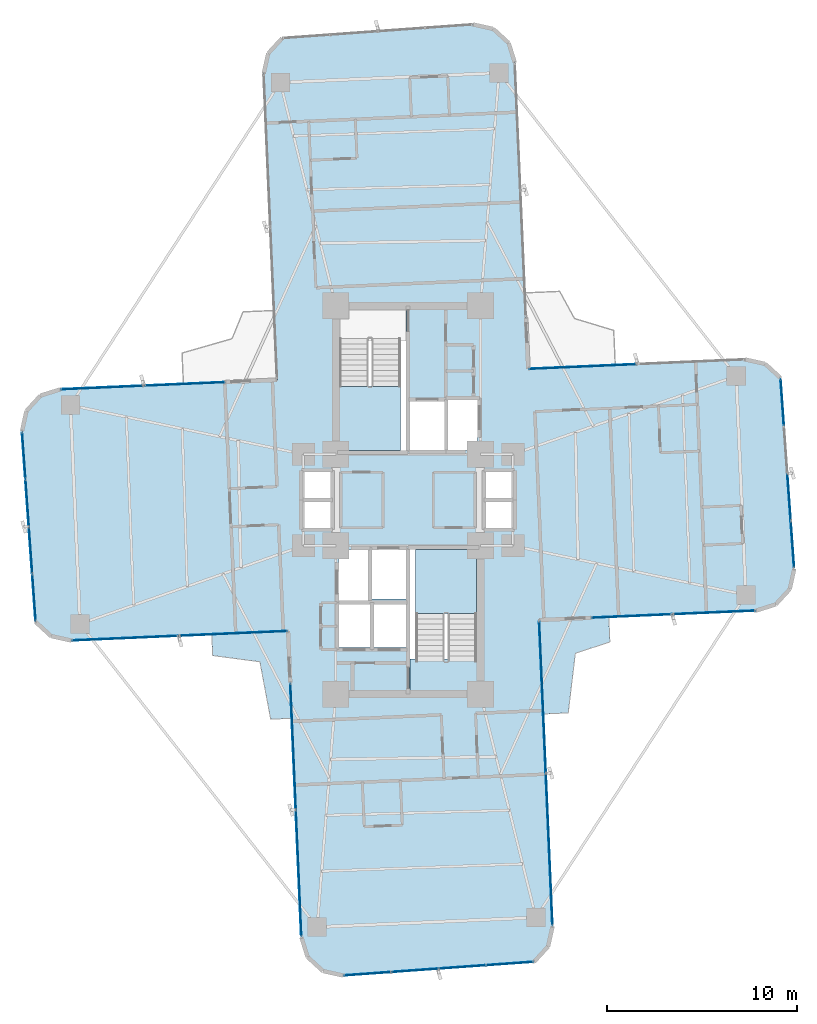
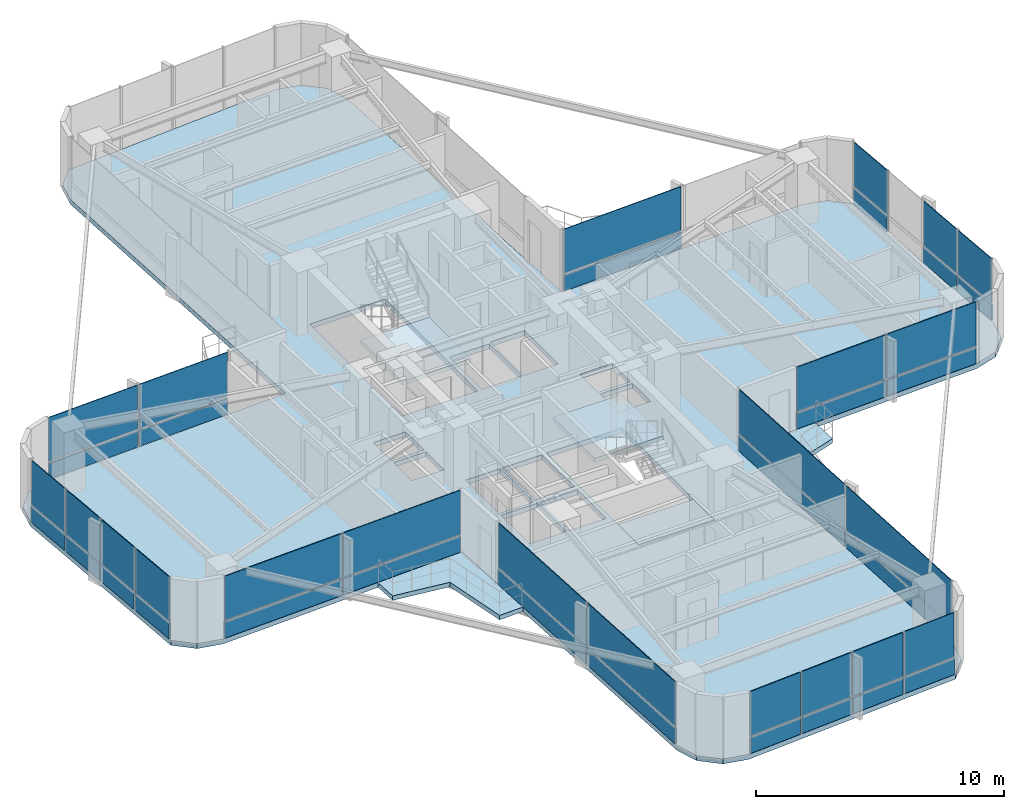
# One storey, part 21 of 26: 44 plates, 6 slabs, 11 elements without a shape of their own.
"""IFC4 building model written with IfcOpenShell, lengths in metres."""

from ifc_helpers import new_model, si_unit, direction, frame, origin, origin_2d, place, context, subcontext, project, spatial, polyline, rectangle, outline, extrude, source, transform, mapped, material, layer, layer_set, type_object, element, aggregate, save


model = new_model("IFC4")

# Units and contexts
model_context = context("Model", 3, precision=1e-05, world=origin(), true_north=direction((0.0, 1.0)))
body_context = subcontext(model_context, "Body", "Model", "MODEL_VIEW")
ifc_project = project(units=[si_unit("LENGTHUNIT", "METRE"), si_unit("AREAUNIT", "SQUARE_METRE"), si_unit("VOLUMEUNIT", "CUBIC_METRE"), si_unit("PLANEANGLEUNIT", "RADIAN"), si_unit("MASSUNIT", "GRAM", prefix="KILO")], contexts=[model_context])

# Site, building, storey
site_placement = place(None, origin())
site = spatial("IfcSite", under=ifc_project, at=site_placement, CompositionType="ELEMENT")
building_placement = place(site_placement, origin())
building = spatial("IfcBuilding", under=site, at=building_placement, Name="Sahyath Konkavel Grand Hotel", CompositionType="ELEMENT")
storey_placement = place(building_placement, frame((0.0, 0.0, 118.14990234375)))
storey = spatial("IfcBuildingStorey", under=building, at=storey_placement, Name="L32", CompositionType="ELEMENT", Elevation=118.14990234375)

# Slabs
ifc_material_1 = material(Name="Concrete C40/50", Category="concrete")
ifc_layer_1 = layer(ifc_material_1, 0.239990234375)
ifc_layer_set_1 = layer_set([ifc_layer_1], Name="Concrete C40/50")
slab_type_1 = type_object("IfcSlabType", Name="SLB-240", PredefinedType="FLOOR", material=ifc_layer_set_1)
slab_1_placement = place(storey_placement, frame((0.0, 0.0, -0.239990234375)))
element("IfcSlab", 1, at=slab_1_placement, inside=storey, type_object=slab_type_1, Name="L32 Structural Floor Slab", PredefinedType="FLOOR", context=body_context, shape_type="SweptSolid", body=[
    extrude(outline(polyline([(6.881591796875, -6.305908203125), (18.270751953125, -5.80859375), (19.3076171875, -5.481689453125), (20.0419921875, -4.68017578125), (20.277099609375, -3.618896484375), (19.5576171875, 6.4091796875), (18.75634765625, 7.1435546875), (17.695068359375, 7.37890625), (6.305908203125, 6.881591796875), (5.603515625, 22.96630859375), (5.276611328125, 24.0029296875), (4.47509765625, 24.7373046875), (3.4140625, 24.97265625), (-6.6142578125, 24.253173828125), (-7.3486328125, 23.451904296875), (-7.583984375, 22.390380859375), (-6.881591796875, 6.305908203125), (-18.270751953125, 5.80859375), (-19.3076171875, 5.481689453125), (-20.0419921875, 4.68017578125), (-20.277099609375, 3.618896484375), (-19.5576171875, -6.4091796875), (-18.75634765625, -7.1435546875), (-17.695068359375, -7.37890625), (-6.305908203125, -6.881591796875), (-5.603515625, -22.96630859375), (-5.276611328125, -24.0029296875), (-4.47509765625, -24.7373046875), (-3.4140625, -24.97265625), (6.6142578125, -24.253173828125), (7.3486328125, -23.451904296875), (7.583984375, -22.390380859375), (6.881591796875, -6.305908203125)]), holes=[polyline([(-3.6201171875, 2.580078125), (-0.10009765625, 2.580078125), (-0.10009765625, 10.02001953125), (-3.6201171875, 10.02001953125), (-3.6201171875, 2.580078125)]), polyline([(0.10009765625, -10.02001953125), (3.6201171875, -10.02001953125), (3.6201171875, -2.580078125), (0.10009765625, -2.580078125), (0.10009765625, -10.02001953125)]), polyline([(0.10009765625, 2.60009765625), (1.949951171875, 2.60009765625), (1.949951171875, 5.199951171875), (0.10009765625, 5.199951171875), (0.10009765625, 2.60009765625)]), polyline([(-1.949951171875, -5.199951171875), (-0.10009765625, -5.199951171875), (-0.10009765625, -2.60009765625), (-1.949951171875, -2.60009765625), (-1.949951171875, -5.199951171875)]), polyline([(2.050048828125, 2.60009765625), (3.64990234375, 2.60009765625), (3.64990234375, 5.300048828125), (2.050048828125, 5.300048828125), (2.050048828125, 2.60009765625)]), polyline([(-3.64990234375, -5.300048828125), (-2.050048828125, -5.300048828125), (-2.050048828125, -2.60009765625), (-3.64990234375, -2.60009765625), (-3.64990234375, -5.300048828125)]), polyline([(-3.64990234375, -7.75), (-1.949951171875, -7.75), (-1.949951171875, -5.449951171875), (-3.64990234375, -5.449951171875), (-3.64990234375, -7.75)]), polyline([(-1.85009765625, -7.75), (-0.10009765625, -7.75), (-0.10009765625, -5.449951171875), (-1.85009765625, -5.449951171875), (-1.85009765625, -7.75)]), polyline([(4.050048828125, 0.080078125), (5.550048828125, 0.080078125), (5.550048828125, 1.5400390625), (4.050048828125, 1.5400390625), (4.050048828125, 0.080078125)]), polyline([(4.050048828125, -1.5400390625), (5.550048828125, -1.5400390625), (5.550048828125, -0.080078125), (4.050048828125, -0.080078125), (4.050048828125, -1.5400390625)]), polyline([(-5.550048828125, 0.080078125), (-4.050048828125, 0.080078125), (-4.050048828125, 1.5400390625), (-5.550048828125, 1.5400390625), (-5.550048828125, 0.080078125)]), polyline([(-5.550048828125, -1.5400390625), (-4.050048828125, -1.5400390625), (-4.050048828125, -0.080078125), (-5.550048828125, -0.080078125), (-5.550048828125, -1.5400390625)])]), origin(), (0.0, 0.0, 1.0), 0.239990234375),
])
ifc_layer_2 = layer(ifc_material_1, 0.219970703125)
ifc_layer_set_2 = layer_set([ifc_layer_2], Name="Concrete C40/50")
slab_type_2 = type_object("IfcSlabType", Name="SLB-BALCONY-220", PredefinedType="FLOOR", material=ifc_layer_set_2)
slab_2_placement = place(storey_placement, frame((0.0, 0.0, -0.219970703125)))
element("IfcSlab", 2, at=slab_2_placement, inside=storey, type_object=slab_type_2, Name="L32 Winter-Garden Balcony SW", PredefinedType="FLOOR", context=body_context, shape_type="SweptSolid", body=[
    extrude(outline(polyline([(-6.305908203125, -6.881591796875), (-10.31396484375, -7.056640625), (-10.265380859375, -8.1708984375), (-7.785888671875, -8.49658203125), (-7.219970703125, -11.513916015625), (-6.105712890625, -11.465087890625), (-6.305908203125, -6.881591796875)])), origin(), (0.0, 0.0, 1.0), 0.219970703125),
])
slab_3_placement = place(storey_placement, frame((0.0, 0.0, -0.219970703125)))
element("IfcSlab", 3, at=slab_3_placement, inside=storey, type_object=slab_type_2, Name="L32 Winter-Garden Balcony SE", PredefinedType="FLOOR", context=body_context, shape_type="SweptSolid", body=[
    extrude(outline(polyline([(6.881591796875, -6.305908203125), (7.096923828125, -11.239013671875), (8.408935546875, -11.181884765625), (8.783447265625, -8.048583984375), (10.597412109375, -7.4580078125), (10.5400390625, -6.14599609375), (6.881591796875, -6.305908203125)])), origin(), (0.0, 0.0, 1.0), 0.219970703125),
])

# Stair, slab
stair_type = type_object("IfcStairType", Name="STR-ST16-335", PredefinedType="HALF_TURN_STAIR", material=ifc_material_1)
stair_1_placement = place(storey_placement, origin())
stair_1 = element("IfcStair", 4, at=stair_1_placement, inside=storey, type_object=stair_type, Name="L32 North Core Smokeproof Exit Stair ST-1", PredefinedType="HALF_TURN_STAIR")
ifc_layer_3 = layer(ifc_material_1, 0.199951171875)
ifc_layer_set_3 = layer_set([ifc_layer_3], Name="Concrete C40/50")
slab_type_3 = type_object("IfcSlabType", Name="SLB-STAIR-LND", PredefinedType="LANDING", material=ifc_layer_set_3)
slab_4_placement = place(storey_placement, frame((0.0, 0.0, 1.47509765625)))
slab_4 = element("IfcSlab", 5, at=slab_4_placement, type_object=slab_type_3, Name="ST-1 landing 1", PredefinedType="LANDING", context=body_context, shape_type="SweptSolid", body=[
    extrude(outline(polyline([(-3.60009765625, 5.9599609375), (-3.60009765625, 2.60009765625), (-0.39990234375, 2.60009765625), (-0.39990234375, 5.9599609375), (-3.60009765625, 5.9599609375)])), origin(), (0.0, 0.0, 1.0), 0.199951171875),
])
aggregate(stair_1, [slab_4])

stair_2_placement = place(storey_placement, origin())
stair_2 = element("IfcStair", 6, at=stair_2_placement, inside=storey, type_object=stair_type, Name="L32 South Core Smokeproof Exit Stair ST-2", PredefinedType="HALF_TURN_STAIR")
slab_5_placement = place(storey_placement, frame((0.0, 0.0, 1.47509765625)))
slab_5 = element("IfcSlab", 7, at=slab_5_placement, type_object=slab_type_3, Name="ST-2 landing 1", PredefinedType="LANDING", context=body_context, shape_type="SweptSolid", body=[
    extrude(outline(polyline([(3.60009765625, -5.9599609375), (3.60009765625, -2.60009765625), (0.39990234375, -2.60009765625), (0.39990234375, -5.9599609375), (3.60009765625, -5.9599609375)])), origin(), (0.0, 0.0, 1.0), 0.199951171875),
])
aggregate(stair_2, [slab_5])

# Slab
slab_6_placement = place(storey_placement, frame((0.0, 0.0, -0.199951171875)))
element("IfcSlab", 8, at=slab_6_placement, inside=storey, type_object=slab_type_3, Name="L32 Stair ST-2 Floor Landing Slab", PredefinedType="LANDING", context=body_context, shape_type="SweptSolid", body=[
    extrude(outline(polyline([(0.10009765625, -10.02001953125), (3.6201171875, -10.02001953125), (3.6201171875, -8.35009765625), (0.10009765625, -8.35009765625), (0.10009765625, -10.02001953125)])), origin(), (0.0, 0.0, 1.0), 0.199951171875),
])

# Curtain wall, plates
ifc_material_2 = material(Name="Anodised Bronze Aluminium & Low-E Glazing", Category="aluminium")
curtain_wall_type = type_object("IfcCurtainWallType", Name="CW-ZONE2", PredefinedType="NOTDEFINED", material=ifc_material_2)
curtain_wall_1_placement = place(storey_placement, origin())
curtain_wall_1 = element("IfcCurtainWall", 9, at=curtain_wall_1_placement, inside=storey, type_object=curtain_wall_type, Name="L32 Unitised Curtain Wall F0", PredefinedType="NOTDEFINED")
ifc_material_3 = material(Name="Warm Buff Sandstone Cladding", Category="masonry")
ifc_layer_4 = layer(ifc_material_3, 0.074951171875)
ifc_layer_set_4 = layer_set([ifc_layer_4], Name="Warm Buff Sandstone Cladding")
plate_type_1 = type_object("IfcPlateType", Name="PNL-SPANDREL-STONE", PredefinedType="SHEET", material=ifc_layer_set_4)
shared_shape_1 = source(origin(), body_context, "Body", "SweptSolid", [
    extrude(rectangle(XDim=4.22998046875, YDim=0.074951171875, at=origin_2d()), origin(), (0.0, 0.0, 1.0), 0.77001953125),
])
plate_1_placement = place(storey_placement, frame((11.77197265625, -6.09228515625, 0.0400390625), z_axis=(0.0, 0.0, 1.0), x_axis=(0.999048982732, 0.043601950678, 0.0)))
plate_1 = element("IfcPlate", 10, at=plate_1_placement, type_object=plate_type_1, Name="L32 Sandstone Relief Spandrel Panel F0-0", PredefinedType="SHEET", context=body_context, shape_type="MappedRepresentation", body=[
    mapped(shared_shape_1, transform((0.0, 0.0, 0.0), scale=1.0)),
])
plate_2_placement = place(storey_placement, frame((16.077880859375, -5.904296875, 0.0400390625), z_axis=(0.0, 0.0, 1.0), x_axis=(0.999048982732, 0.043601950678, 0.0)))
plate_2 = element("IfcPlate", 11, at=plate_2_placement, type_object=plate_type_1, Name="L32 Sandstone Relief Spandrel Panel F0-1", PredefinedType="SHEET", context=body_context, shape_type="MappedRepresentation", body=[
    mapped(shared_shape_1, transform((0.0, 0.0, 0.0), scale=1.0)),
])

curtain_wall_2_placement = place(storey_placement, origin())
curtain_wall_2 = element("IfcCurtainWall", 12, at=curtain_wall_2_placement, inside=storey, type_object=curtain_wall_type, Name="L32 Unitised Curtain Wall F16", PredefinedType="NOTDEFINED")
plate_3_placement = place(storey_placement, frame((-11.77197265625, 6.09228515625, 0.0400390625), z_axis=(0.0, 0.0, 1.0), x_axis=(-0.999048982732, -0.043601950678, 0.0)))
plate_3 = element("IfcPlate", 13, at=plate_3_placement, type_object=plate_type_1, Name="L32 Sandstone Relief Spandrel Panel F16-0", PredefinedType="SHEET", context=body_context, shape_type="MappedRepresentation", body=[
    mapped(shared_shape_1, transform((0.0, 0.0, 0.0), scale=1.0)),
])
plate_4_placement = place(storey_placement, frame((-16.077880859375, 5.904296875, 0.0400390625), z_axis=(0.0, 0.0, 1.0), x_axis=(-0.999048982732, -0.043601950678, 0.0)))
plate_4 = element("IfcPlate", 14, at=plate_4_placement, type_object=plate_type_1, Name="L32 Sandstone Relief Spandrel Panel F16-1", PredefinedType="SHEET", context=body_context, shape_type="MappedRepresentation", body=[
    mapped(shared_shape_1, transform((0.0, 0.0, 0.0), scale=1.0)),
])

curtain_wall_3_placement = place(storey_placement, origin())
curtain_wall_3 = element("IfcCurtainWall", 15, at=curtain_wall_3_placement, inside=storey, type_object=curtain_wall_type, Name="L32 Unitised Curtain Wall F4", PredefinedType="NOTDEFINED")
shared_shape_2 = source(origin(), body_context, "Body", "SweptSolid", [
    extrude(rectangle(XDim=2.41357421875, YDim=0.074951171875, at=origin_2d()), origin(), (0.0, 0.0, 1.0), 0.77001953125),
])
plate_5_placement = place(storey_placement, frame((20.18505859375, -2.335693359375, 0.0400390625), z_axis=(0.0, 0.0, 1.0), x_axis=(-0.071567078661, 0.997435789037, 0.0)))
plate_5 = element("IfcPlate", 16, at=plate_5_placement, type_object=plate_type_1, Name="L32 Sandstone Relief Spandrel Panel F4-0", PredefinedType="SHEET", context=body_context, shape_type="MappedRepresentation", body=[
    mapped(shared_shape_2, transform((0.0, 0.0, 0.0), scale=1.0)),
])
plate_6_placement = place(storey_placement, frame((20.006591796875, 0.151611328125, 0.0400390625), z_axis=(0.0, 0.0, 1.0), x_axis=(-0.071567078661, 0.997435789037, 0.0)))
plate_6 = element("IfcPlate", 17, at=plate_6_placement, type_object=plate_type_1, Name="L32 Sandstone Relief Spandrel Panel F4-1", PredefinedType="SHEET", context=body_context, shape_type="MappedRepresentation", body=[
    mapped(shared_shape_2, transform((0.0, 0.0, 0.0), scale=1.0)),
])
plate_7_placement = place(storey_placement, frame((19.64990234375, 5.125732421875, 0.0400390625), z_axis=(0.0, 0.0, 1.0), x_axis=(-0.071567078661, 0.997435789037, 0.0)))
plate_7 = element("IfcPlate", 18, at=plate_7_placement, type_object=plate_type_1, Name="L32 Sandstone Relief Spandrel Panel F4-3", PredefinedType="SHEET", context=body_context, shape_type="MappedRepresentation", body=[
    mapped(shared_shape_2, transform((0.0, 0.0, 0.0), scale=1.0)),
])

curtain_wall_4_placement = place(storey_placement, origin())
curtain_wall_4 = element("IfcCurtainWall", 19, at=curtain_wall_4_placement, inside=storey, type_object=curtain_wall_type, Name="L32 Unitised Curtain Wall F20", PredefinedType="NOTDEFINED")
plate_8_placement = place(storey_placement, frame((-20.18505859375, 2.335693359375, 0.0400390625), z_axis=(0.0, 0.0, 1.0), x_axis=(0.071567078661, -0.997435789037, 0.0)))
plate_8 = element("IfcPlate", 20, at=plate_8_placement, type_object=plate_type_1, Name="L32 Sandstone Relief Spandrel Panel F20-0", PredefinedType="SHEET", context=body_context, shape_type="MappedRepresentation", body=[
    mapped(shared_shape_2, transform((0.0, 0.0, 0.0), scale=1.0)),
])
plate_9_placement = place(storey_placement, frame((-20.006591796875, -0.151611328125, 0.0400390625), z_axis=(0.0, 0.0, 1.0), x_axis=(0.071567078661, -0.997435789037, 0.0)))
plate_9 = element("IfcPlate", 21, at=plate_9_placement, type_object=plate_type_1, Name="L32 Sandstone Relief Spandrel Panel F20-1", PredefinedType="SHEET", context=body_context, shape_type="MappedRepresentation", body=[
    mapped(shared_shape_2, transform((0.0, 0.0, 0.0), scale=1.0)),
])
plate_10_placement = place(storey_placement, frame((-19.828369140625, -2.638671875, 0.0400390625), z_axis=(0.0, 0.0, 1.0), x_axis=(0.071567078661, -0.997435789037, 0.0)))
plate_10 = element("IfcPlate", 22, at=plate_10_placement, type_object=plate_type_1, Name="L32 Sandstone Relief Spandrel Panel F20-2", PredefinedType="SHEET", context=body_context, shape_type="MappedRepresentation", body=[
    mapped(shared_shape_2, transform((0.0, 0.0, 0.0), scale=1.0)),
])
plate_11_placement = place(storey_placement, frame((-19.64990234375, -5.125732421875, 0.0400390625), z_axis=(0.0, 0.0, 1.0), x_axis=(0.071567078661, -0.997435789037, 0.0)))
plate_11 = element("IfcPlate", 23, at=plate_11_placement, type_object=plate_type_1, Name="L32 Sandstone Relief Spandrel Panel F20-3", PredefinedType="SHEET", context=body_context, shape_type="MappedRepresentation", body=[
    mapped(shared_shape_2, transform((0.0, 0.0, 0.0), scale=1.0)),
])

curtain_wall_5_placement = place(storey_placement, origin())
curtain_wall_5 = element("IfcCurtainWall", 24, at=curtain_wall_5_placement, inside=storey, type_object=curtain_wall_type, Name="L32 Unitised Curtain Wall F28", PredefinedType="NOTDEFINED")
plate_12_placement = place(storey_placement, frame((-2.130615234375, -24.880615234375, 0.0400390625), z_axis=(0.0, 0.0, 1.0), x_axis=(0.997435789037, 0.071567078661, 0.0)))
plate_12 = element("IfcPlate", 25, at=plate_12_placement, type_object=plate_type_1, Name="L32 Sandstone Relief Spandrel Panel F28-0", PredefinedType="SHEET", context=body_context, shape_type="MappedRepresentation", body=[
    mapped(shared_shape_2, transform((0.0, 0.0, 0.0), scale=1.0)),
])
plate_13_placement = place(storey_placement, frame((0.356689453125, -24.7021484375, 0.0400390625), z_axis=(0.0, 0.0, 1.0), x_axis=(0.997435789037, 0.071567078661, 0.0)))
plate_13 = element("IfcPlate", 26, at=plate_13_placement, type_object=plate_type_1, Name="L32 Sandstone Relief Spandrel Panel F28-1", PredefinedType="SHEET", context=body_context, shape_type="MappedRepresentation", body=[
    mapped(shared_shape_2, transform((0.0, 0.0, 0.0), scale=1.0)),
])
plate_14_placement = place(storey_placement, frame((2.84375, -24.523681640625, 0.0400390625), z_axis=(0.0, 0.0, 1.0), x_axis=(0.997435789037, 0.071567078661, 0.0)))
plate_14 = element("IfcPlate", 27, at=plate_14_placement, type_object=plate_type_1, Name="L32 Sandstone Relief Spandrel Panel F28-2", PredefinedType="SHEET", context=body_context, shape_type="MappedRepresentation", body=[
    mapped(shared_shape_2, transform((0.0, 0.0, 0.0), scale=1.0)),
])
plate_15_placement = place(storey_placement, frame((5.330810546875, -24.34521484375, 0.0400390625), z_axis=(0.0, 0.0, 1.0), x_axis=(0.997435789037, 0.071567078661, 0.0)))
plate_15 = element("IfcPlate", 28, at=plate_15_placement, type_object=plate_type_1, Name="L32 Sandstone Relief Spandrel Panel F28-3", PredefinedType="SHEET", context=body_context, shape_type="MappedRepresentation", body=[
    mapped(shared_shape_2, transform((0.0, 0.0, 0.0), scale=1.0)),
])

# Curtain wall, plate
curtain_wall_6_placement = place(storey_placement, origin())
curtain_wall_6 = element("IfcCurtainWall", 29, at=curtain_wall_6_placement, inside=storey, type_object=curtain_wall_type, Name="L32 Unitised Curtain Wall F7", PredefinedType="NOTDEFINED")
shared_shape_3 = source(origin(), body_context, "Body", "SweptSolid", [
    extrude(rectangle(XDim=5.580078125, YDim=0.074951171875, at=origin_2d()), origin(), (0.0, 0.0, 1.0), 0.77001953125),
])
plate_16_placement = place(storey_placement, frame((9.173095703125, 7.0068359375, 0.0400390625), z_axis=(0.0, 0.0, 1.0), x_axis=(-0.999048221582, -0.043619387365, 0.0)))
plate_16 = element("IfcPlate", 30, at=plate_16_placement, type_object=plate_type_1, Name="L32 Sandstone Relief Spandrel Panel F7-1", PredefinedType="SHEET", context=body_context, shape_type="MappedRepresentation", body=[
    mapped(shared_shape_3, transform((0.0, 0.0, 0.0), scale=1.0)),
])

# Curtain wall, plates
curtain_wall_7_placement = place(storey_placement, origin())
curtain_wall_7 = element("IfcCurtainWall", 31, at=curtain_wall_7_placement, inside=storey, type_object=curtain_wall_type, Name="L32 Unitised Curtain Wall F23", PredefinedType="NOTDEFINED")
plate_17_placement = place(storey_placement, frame((-14.82763671875, -7.25390625, 0.0400390625), z_axis=(0.0, 0.0, 1.0), x_axis=(0.999048221582, 0.043619387365, 0.0)))
plate_17 = element("IfcPlate", 32, at=plate_17_placement, type_object=plate_type_1, Name="L32 Sandstone Relief Spandrel Panel F23-0", PredefinedType="SHEET", context=body_context, shape_type="MappedRepresentation", body=[
    mapped(shared_shape_3, transform((0.0, 0.0, 0.0), scale=1.0)),
])
plate_18_placement = place(storey_placement, frame((-9.173095703125, -7.0068359375, 0.0400390625), z_axis=(0.0, 0.0, 1.0), x_axis=(0.999048221582, 0.043619387365, 0.0)))
plate_18 = element("IfcPlate", 33, at=plate_18_placement, type_object=plate_type_1, Name="L32 Sandstone Relief Spandrel Panel F23-1", PredefinedType="SHEET", context=body_context, shape_type="MappedRepresentation", body=[
    mapped(shared_shape_3, transform((0.0, 0.0, 0.0), scale=1.0)),
])

curtain_wall_8_placement = place(storey_placement, origin())
curtain_wall_8 = element("IfcCurtainWall", 34, at=curtain_wall_8_placement, inside=storey, type_object=curtain_wall_type, Name="L32 Unitised Curtain Wall F24", PredefinedType="NOTDEFINED")
shared_shape_4 = source(origin(), body_context, "Body", "SweptSolid", [
    extrude(rectangle(XDim=6.580078125, YDim=0.074951171875, at=origin_2d()), origin(), (0.0, 0.0, 1.0), 0.77001953125),
])
plate_19_placement = place(storey_placement, frame((-6.041015625, -12.94580078125, 0.0400390625), z_axis=(0.0, 0.0, 1.0), x_axis=(0.043619387365, -0.999048221582, 0.0)))
plate_19 = element("IfcPlate", 35, at=plate_19_placement, type_object=plate_type_1, Name="L32 Sandstone Relief Spandrel Panel F24-0", PredefinedType="SHEET", context=body_context, shape_type="MappedRepresentation", body=[
    mapped(shared_shape_4, transform((0.0, 0.0, 0.0), scale=1.0)),
])
plate_20_placement = place(storey_placement, frame((-5.75048828125, -19.599609375, 0.0400390625), z_axis=(0.0, 0.0, 1.0), x_axis=(0.043619387365, -0.999048221582, 0.0)))
plate_20 = element("IfcPlate", 36, at=plate_20_placement, type_object=plate_type_1, Name="L32 Sandstone Relief Spandrel Panel F24-1", PredefinedType="SHEET", context=body_context, shape_type="MappedRepresentation", body=[
    mapped(shared_shape_4, transform((0.0, 0.0, 0.0), scale=1.0)),
])

curtain_wall_9_placement = place(storey_placement, origin())
curtain_wall_9 = element("IfcCurtainWall", 37, at=curtain_wall_9_placement, inside=storey, type_object=curtain_wall_type, Name="L32 Unitised Curtain Wall F31", PredefinedType="NOTDEFINED")
shared_shape_5 = source(origin(), body_context, "Body", "SweptSolid", [
    extrude(rectangle(XDim=7.929931640625, YDim=0.074951171875, at=origin_2d()), origin(), (0.0, 0.0, 1.0), 0.77001953125),
])
plate_21_placement = place(storey_placement, frame((7.407470703125, -18.349365234375, 0.0400390625), z_axis=(0.0, 0.0, 1.0), x_axis=(-0.043619387365, 0.999048221582, 0.0)))
plate_21 = element("IfcPlate", 38, at=plate_21_placement, type_object=plate_type_1, Name="L32 Sandstone Relief Spandrel Panel F31-0", PredefinedType="SHEET", context=body_context, shape_type="MappedRepresentation", body=[
    mapped(shared_shape_5, transform((0.0, 0.0, 0.0), scale=1.0)),
])
plate_22_placement = place(storey_placement, frame((7.05810546875, -10.346923828125, 0.0400390625), z_axis=(0.0, 0.0, 1.0), x_axis=(-0.043619387365, 0.999048221582, 0.0)))
plate_22 = element("IfcPlate", 39, at=plate_22_placement, type_object=plate_type_1, Name="L32 Sandstone Relief Spandrel Panel F31-1", PredefinedType="SHEET", context=body_context, shape_type="MappedRepresentation", body=[
    mapped(shared_shape_5, transform((0.0, 0.0, 0.0), scale=1.0)),
])

# Plate
ifc_material_4 = material(Name="Low-E Solar Control Double Glazing", Category="glass")
ifc_layer_5 = layer(ifc_material_4, 0.035888671875)
ifc_layer_set_5 = layer_set([ifc_layer_5], Name="Low-E Solar Control Double Glazing")
plate_type_2 = type_object("IfcPlateType", Name="PNL-VISION-LOWE", PredefinedType="CURTAIN_PANEL", material=ifc_layer_set_5)
shared_shape_6 = source(origin(), body_context, "Body", "SweptSolid", [
    extrude(rectangle(XDim=4.22998046875, YDim=0.035888671875, at=origin_2d()), origin(), (0.0, 0.0, 1.0), 2.179931640625),
])
plate_23_placement = place(storey_placement, frame((11.77197265625, -6.09228515625, 0.89013671875), z_axis=(0.0, 0.0, 1.0), x_axis=(0.999048982732, 0.043601950678, 0.0)))
plate_23 = element("IfcPlate", 40, at=plate_23_placement, type_object=plate_type_2, Name="L32 Low-E Vision Glazing Panel F0-0", PredefinedType="CURTAIN_PANEL", context=body_context, shape_type="MappedRepresentation", body=[
    mapped(shared_shape_6, transform((0.0, 0.0, 0.0), scale=1.0)),
])

plate_24_placement = place(storey_placement, frame((16.077880859375, -5.904296875, 0.89013671875), z_axis=(0.0, 0.0, 1.0), x_axis=(0.999048982732, 0.043601950678, 0.0)))
plate_24 = element("IfcPlate", 41, at=plate_24_placement, type_object=plate_type_2, Name="L32 Low-E Vision Glazing Panel F0-1", PredefinedType="CURTAIN_PANEL", context=body_context, shape_type="MappedRepresentation", body=[
    mapped(shared_shape_6, transform((0.0, 0.0, 0.0), scale=1.0)),
])

aggregate(curtain_wall_1, [plate_1, plate_23, plate_2, plate_24])

plate_25_placement = place(storey_placement, frame((-11.77197265625, 6.09228515625, 0.89013671875), z_axis=(0.0, 0.0, 1.0), x_axis=(-0.999048982732, -0.043601950678, 0.0)))
plate_25 = element("IfcPlate", 42, at=plate_25_placement, type_object=plate_type_2, Name="L32 Low-E Vision Glazing Panel F16-0", PredefinedType="CURTAIN_PANEL", context=body_context, shape_type="MappedRepresentation", body=[
    mapped(shared_shape_6, transform((0.0, 0.0, 0.0), scale=1.0)),
])

plate_26_placement = place(storey_placement, frame((-16.077880859375, 5.904296875, 0.89013671875), z_axis=(0.0, 0.0, 1.0), x_axis=(-0.999048982732, -0.043601950678, 0.0)))
plate_26 = element("IfcPlate", 43, at=plate_26_placement, type_object=plate_type_2, Name="L32 Low-E Vision Glazing Panel F16-1", PredefinedType="CURTAIN_PANEL", context=body_context, shape_type="MappedRepresentation", body=[
    mapped(shared_shape_6, transform((0.0, 0.0, 0.0), scale=1.0)),
])

aggregate(curtain_wall_2, [plate_3, plate_25, plate_4, plate_26])

shared_shape_7 = source(origin(), body_context, "Body", "SweptSolid", [
    extrude(rectangle(XDim=2.41357421875, YDim=0.035888671875, at=origin_2d()), origin(), (0.0, 0.0, 1.0), 2.179931640625),
])
plate_27_placement = place(storey_placement, frame((20.18505859375, -2.335693359375, 0.89013671875), z_axis=(0.0, 0.0, 1.0), x_axis=(-0.071567078661, 0.997435789037, 0.0)))
plate_27 = element("IfcPlate", 44, at=plate_27_placement, type_object=plate_type_2, Name="L32 Low-E Vision Glazing Panel F4-0", PredefinedType="CURTAIN_PANEL", context=body_context, shape_type="MappedRepresentation", body=[
    mapped(shared_shape_7, transform((0.0, 0.0, 0.0), scale=1.0)),
])

plate_28_placement = place(storey_placement, frame((20.006591796875, 0.151611328125, 0.89013671875), z_axis=(0.0, 0.0, 1.0), x_axis=(-0.071567078661, 0.997435789037, 0.0)))
plate_28 = element("IfcPlate", 45, at=plate_28_placement, type_object=plate_type_2, Name="L32 Low-E Vision Glazing Panel F4-1", PredefinedType="CURTAIN_PANEL", context=body_context, shape_type="MappedRepresentation", body=[
    mapped(shared_shape_7, transform((0.0, 0.0, 0.0), scale=1.0)),
])

plate_29_placement = place(storey_placement, frame((19.64990234375, 5.125732421875, 0.89013671875), z_axis=(0.0, 0.0, 1.0), x_axis=(-0.071567078661, 0.997435789037, 0.0)))
plate_29 = element("IfcPlate", 46, at=plate_29_placement, type_object=plate_type_2, Name="L32 Low-E Vision Glazing Panel F4-3", PredefinedType="CURTAIN_PANEL", context=body_context, shape_type="MappedRepresentation", body=[
    mapped(shared_shape_7, transform((0.0, 0.0, 0.0), scale=1.0)),
])

aggregate(curtain_wall_3, [plate_5, plate_27, plate_6, plate_28, plate_7, plate_29])

plate_30_placement = place(storey_placement, frame((-20.18505859375, 2.335693359375, 0.89013671875), z_axis=(0.0, 0.0, 1.0), x_axis=(0.071567078661, -0.997435789037, 0.0)))
plate_30 = element("IfcPlate", 47, at=plate_30_placement, type_object=plate_type_2, Name="L32 Low-E Vision Glazing Panel F20-0", PredefinedType="CURTAIN_PANEL", context=body_context, shape_type="MappedRepresentation", body=[
    mapped(shared_shape_7, transform((0.0, 0.0, 0.0), scale=1.0)),
])

plate_31_placement = place(storey_placement, frame((-20.006591796875, -0.151611328125, 0.89013671875), z_axis=(0.0, 0.0, 1.0), x_axis=(0.071567078661, -0.997435789037, 0.0)))
plate_31 = element("IfcPlate", 48, at=plate_31_placement, type_object=plate_type_2, Name="L32 Low-E Vision Glazing Panel F20-1", PredefinedType="CURTAIN_PANEL", context=body_context, shape_type="MappedRepresentation", body=[
    mapped(shared_shape_7, transform((0.0, 0.0, 0.0), scale=1.0)),
])

plate_32_placement = place(storey_placement, frame((-19.828369140625, -2.638671875, 0.89013671875), z_axis=(0.0, 0.0, 1.0), x_axis=(0.071567078661, -0.997435789037, 0.0)))
plate_32 = element("IfcPlate", 49, at=plate_32_placement, type_object=plate_type_2, Name="L32 Low-E Vision Glazing Panel F20-2", PredefinedType="CURTAIN_PANEL", context=body_context, shape_type="MappedRepresentation", body=[
    mapped(shared_shape_7, transform((0.0, 0.0, 0.0), scale=1.0)),
])

plate_33_placement = place(storey_placement, frame((-19.64990234375, -5.125732421875, 0.89013671875), z_axis=(0.0, 0.0, 1.0), x_axis=(0.071567078661, -0.997435789037, 0.0)))
plate_33 = element("IfcPlate", 50, at=plate_33_placement, type_object=plate_type_2, Name="L32 Low-E Vision Glazing Panel F20-3", PredefinedType="CURTAIN_PANEL", context=body_context, shape_type="MappedRepresentation", body=[
    mapped(shared_shape_7, transform((0.0, 0.0, 0.0), scale=1.0)),
])

aggregate(curtain_wall_4, [plate_8, plate_30, plate_9, plate_31, plate_10, plate_32, plate_11, plate_33])

plate_34_placement = place(storey_placement, frame((-2.130615234375, -24.880615234375, 0.89013671875), z_axis=(0.0, 0.0, 1.0), x_axis=(0.997435789037, 0.071567078661, 0.0)))
plate_34 = element("IfcPlate", 51, at=plate_34_placement, type_object=plate_type_2, Name="L32 Low-E Vision Glazing Panel F28-0", PredefinedType="CURTAIN_PANEL", context=body_context, shape_type="MappedRepresentation", body=[
    mapped(shared_shape_7, transform((0.0, 0.0, 0.0), scale=1.0)),
])

plate_35_placement = place(storey_placement, frame((0.356689453125, -24.7021484375, 0.89013671875), z_axis=(0.0, 0.0, 1.0), x_axis=(0.997435789037, 0.071567078661, 0.0)))
plate_35 = element("IfcPlate", 52, at=plate_35_placement, type_object=plate_type_2, Name="L32 Low-E Vision Glazing Panel F28-1", PredefinedType="CURTAIN_PANEL", context=body_context, shape_type="MappedRepresentation", body=[
    mapped(shared_shape_7, transform((0.0, 0.0, 0.0), scale=1.0)),
])

plate_36_placement = place(storey_placement, frame((2.84375, -24.523681640625, 0.89013671875), z_axis=(0.0, 0.0, 1.0), x_axis=(0.997435789037, 0.071567078661, 0.0)))
plate_36 = element("IfcPlate", 53, at=plate_36_placement, type_object=plate_type_2, Name="L32 Low-E Vision Glazing Panel F28-2", PredefinedType="CURTAIN_PANEL", context=body_context, shape_type="MappedRepresentation", body=[
    mapped(shared_shape_7, transform((0.0, 0.0, 0.0), scale=1.0)),
])

plate_37_placement = place(storey_placement, frame((5.330810546875, -24.34521484375, 0.89013671875), z_axis=(0.0, 0.0, 1.0), x_axis=(0.997435789037, 0.071567078661, 0.0)))
plate_37 = element("IfcPlate", 54, at=plate_37_placement, type_object=plate_type_2, Name="L32 Low-E Vision Glazing Panel F28-3", PredefinedType="CURTAIN_PANEL", context=body_context, shape_type="MappedRepresentation", body=[
    mapped(shared_shape_7, transform((0.0, 0.0, 0.0), scale=1.0)),
])

aggregate(curtain_wall_5, [plate_12, plate_34, plate_13, plate_35, plate_14, plate_36, plate_15, plate_37])

shared_shape_8 = source(origin(), body_context, "Body", "SweptSolid", [
    extrude(rectangle(XDim=5.580078125, YDim=0.035888671875, at=origin_2d()), origin(), (0.0, 0.0, 1.0), 2.179931640625),
])
plate_38_placement = place(storey_placement, frame((9.173095703125, 7.0068359375, 0.89013671875), z_axis=(0.0, 0.0, 1.0), x_axis=(-0.999048221582, -0.043619387365, 0.0)))
plate_38 = element("IfcPlate", 55, at=plate_38_placement, type_object=plate_type_2, Name="L32 Low-E Vision Glazing Panel F7-1", PredefinedType="CURTAIN_PANEL", context=body_context, shape_type="MappedRepresentation", body=[
    mapped(shared_shape_8, transform((0.0, 0.0, 0.0), scale=1.0)),
])

aggregate(curtain_wall_6, [plate_16, plate_38])

plate_39_placement = place(storey_placement, frame((-14.82763671875, -7.25390625, 0.89013671875), z_axis=(0.0, 0.0, 1.0), x_axis=(0.999048221582, 0.043619387365, 0.0)))
plate_39 = element("IfcPlate", 56, at=plate_39_placement, type_object=plate_type_2, Name="L32 Low-E Vision Glazing Panel F23-0", PredefinedType="CURTAIN_PANEL", context=body_context, shape_type="MappedRepresentation", body=[
    mapped(shared_shape_8, transform((0.0, 0.0, 0.0), scale=1.0)),
])

plate_40_placement = place(storey_placement, frame((-9.173095703125, -7.0068359375, 0.89013671875), z_axis=(0.0, 0.0, 1.0), x_axis=(0.999048221582, 0.043619387365, 0.0)))
plate_40 = element("IfcPlate", 57, at=plate_40_placement, type_object=plate_type_2, Name="L32 Low-E Vision Glazing Panel F23-1", PredefinedType="CURTAIN_PANEL", context=body_context, shape_type="MappedRepresentation", body=[
    mapped(shared_shape_8, transform((0.0, 0.0, 0.0), scale=1.0)),
])

aggregate(curtain_wall_7, [plate_17, plate_39, plate_18, plate_40])

shared_shape_9 = source(origin(), body_context, "Body", "SweptSolid", [
    extrude(rectangle(XDim=6.580078125, YDim=0.035888671875, at=origin_2d()), origin(), (0.0, 0.0, 1.0), 2.179931640625),
])
plate_41_placement = place(storey_placement, frame((-6.041015625, -12.94580078125, 0.89013671875), z_axis=(0.0, 0.0, 1.0), x_axis=(0.043619387365, -0.999048221582, 0.0)))
plate_41 = element("IfcPlate", 58, at=plate_41_placement, type_object=plate_type_2, Name="L32 Low-E Vision Glazing Panel F24-0", PredefinedType="CURTAIN_PANEL", context=body_context, shape_type="MappedRepresentation", body=[
    mapped(shared_shape_9, transform((0.0, 0.0, 0.0), scale=1.0)),
])

plate_42_placement = place(storey_placement, frame((-5.75048828125, -19.599609375, 0.89013671875), z_axis=(0.0, 0.0, 1.0), x_axis=(0.043619387365, -0.999048221582, 0.0)))
plate_42 = element("IfcPlate", 59, at=plate_42_placement, type_object=plate_type_2, Name="L32 Low-E Vision Glazing Panel F24-1", PredefinedType="CURTAIN_PANEL", context=body_context, shape_type="MappedRepresentation", body=[
    mapped(shared_shape_9, transform((0.0, 0.0, 0.0), scale=1.0)),
])

aggregate(curtain_wall_8, [plate_19, plate_41, plate_20, plate_42])

shared_shape_10 = source(origin(), body_context, "Body", "SweptSolid", [
    extrude(rectangle(XDim=7.929931640625, YDim=0.035888671875, at=origin_2d()), origin(), (0.0, 0.0, 1.0), 2.179931640625),
])
plate_43_placement = place(storey_placement, frame((7.407470703125, -18.349365234375, 0.89013671875), z_axis=(0.0, 0.0, 1.0), x_axis=(-0.043619387365, 0.999048221582, 0.0)))
plate_43 = element("IfcPlate", 60, at=plate_43_placement, type_object=plate_type_2, Name="L32 Low-E Vision Glazing Panel F31-0", PredefinedType="CURTAIN_PANEL", context=body_context, shape_type="MappedRepresentation", body=[
    mapped(shared_shape_10, transform((0.0, 0.0, 0.0), scale=1.0)),
])

plate_44_placement = place(storey_placement, frame((7.05810546875, -10.346923828125, 0.89013671875), z_axis=(0.0, 0.0, 1.0), x_axis=(-0.043619387365, 0.999048221582, 0.0)))
plate_44 = element("IfcPlate", 61, at=plate_44_placement, type_object=plate_type_2, Name="L32 Low-E Vision Glazing Panel F31-1", PredefinedType="CURTAIN_PANEL", context=body_context, shape_type="MappedRepresentation", body=[
    mapped(shared_shape_10, transform((0.0, 0.0, 0.0), scale=1.0)),
])

aggregate(curtain_wall_9, [plate_21, plate_43, plate_22, plate_44])

save(model, "model.ifc")
